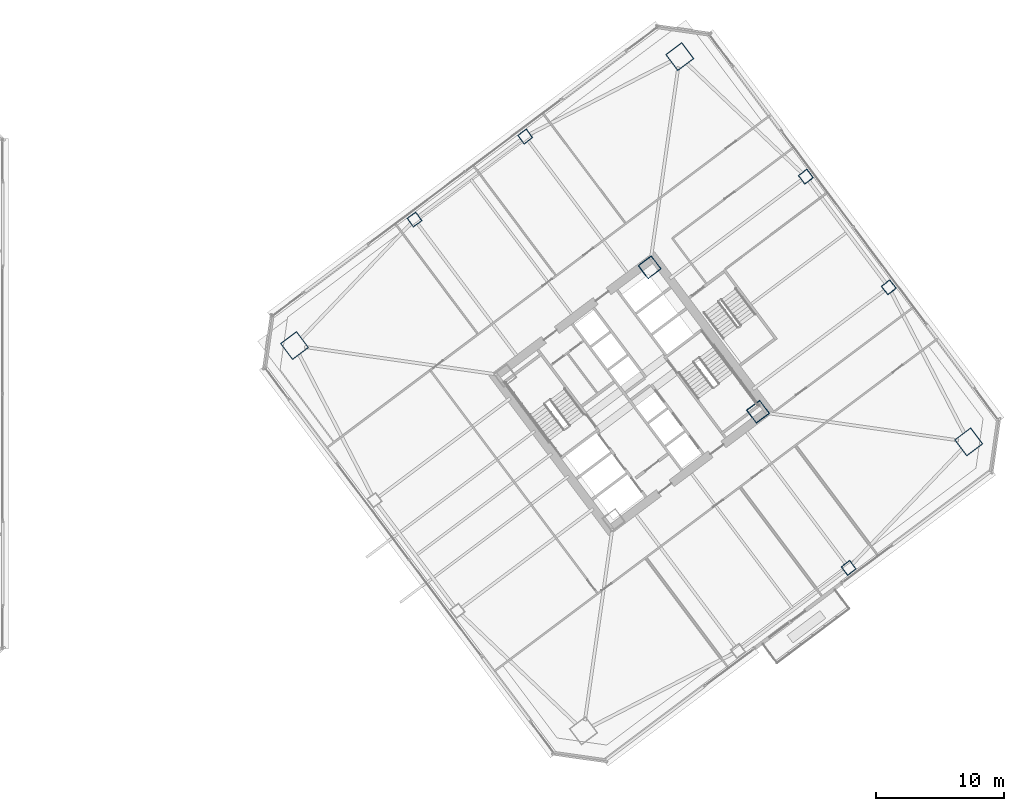
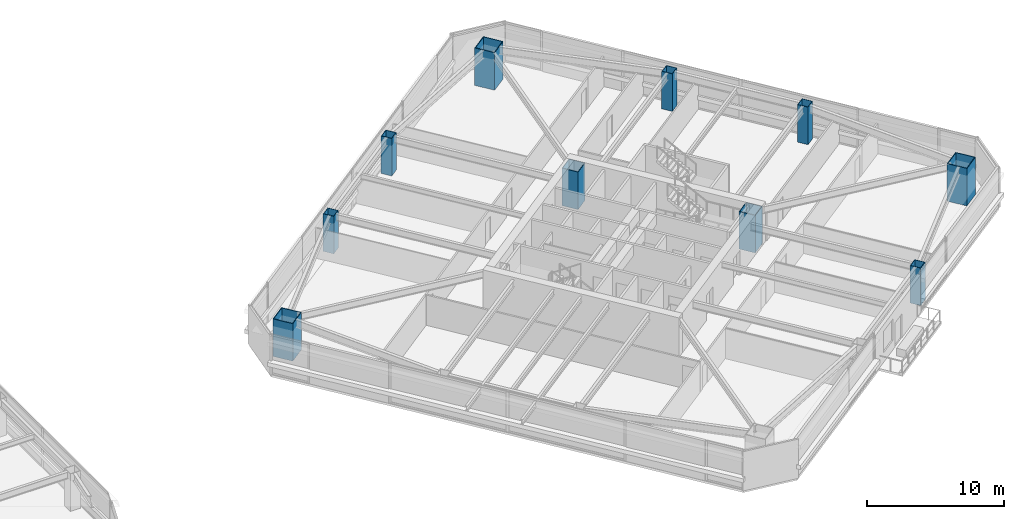
# One storey, part 2 of 48: 10 columns.
"""IFC4 building model written with IfcOpenShell, lengths in metres."""

from ifc_helpers import new_model, si_unit, direction, frame, origin, origin_2d, place, context, subcontext, project, spatial, hollow_rectangle, extrude, material, material_profile, profile_set, type_object, element, save


model = new_model("IFC4")

# Units and contexts
model_context = context("Model", 3, precision=1e-05, world=origin(), true_north=direction((0.0, 1.0)))
body_context = subcontext(model_context, "Body", "Model", "MODEL_VIEW")
ifc_project = project(units=[si_unit("LENGTHUNIT", "METRE"), si_unit("AREAUNIT", "SQUARE_METRE"), si_unit("VOLUMEUNIT", "CUBIC_METRE"), si_unit("PLANEANGLEUNIT", "RADIAN"), si_unit("MASSUNIT", "GRAM", prefix="KILO")], contexts=[model_context])

# Site, building, storey
site_placement = place(None, origin())
site = spatial("IfcSite", under=ifc_project, at=site_placement, CompositionType="ELEMENT")
building_placement = place(site_placement, origin())
building = spatial("IfcBuilding", under=site, at=building_placement, Name="Tashvorn Skyway Center", CompositionType="ELEMENT")
storey_placement = place(building_placement, frame((0.0, 0.0, 53.0)))
storey = spatial("IfcBuildingStorey", under=building, at=storey_placement, Name="L13", CompositionType="ELEMENT", Elevation=53.0)

# Columns
ifc_material = material(Name="Steel ASTM A572 Grade 50", Category="steel")
ifc_material_profile_1 = material_profile(ifc_material, hollow_rectangle(XDim=1.300048828125, YDim=1.300048828125, WallThickness=0.050048828125, at=origin_2d()), Name="BOX1300x1300x50")
ifc_profile_set_1 = profile_set([ifc_material_profile_1], Name="Steel ASTM A572 Grade 50")
column_type_1 = type_object("IfcColumnType", Name="COL-BOX1300x1300x50", PredefinedType="COLUMN", material=ifc_profile_set_1)
for number, where, z_axis, x_axis, name in (
    (1, (123.8701171875, 30.590087890625, 0.0), (0.0, 0.0, 1.0), (0.799999996291, 0.600000004945, 0.0), "Tower 2 L13 Core Corner Column CC-SE"),
    (2, (115.409912109375, 41.8701171875, 0.0), (0.0, 0.0, 1.0), (0.799999996291, 0.600000004945, 0.0), "Tower 2 L13 Core Corner Column CC-NE"),
):
    element("IfcColumn", number, at=place(storey_placement, frame(where, z_axis=z_axis, x_axis=x_axis)), inside=storey, type_object=column_type_1, Name=name, PredefinedType="COLUMN", context=body_context, shape_type="SweptSolid", body=[
        extrude(hollow_rectangle(XDim=1.300048828125, YDim=1.300048828125, WallThickness=0.050048828125, at=origin_2d()), origin(), (0.0, 0.0, 1.0), 3.35009765625),
    ])
ifc_material_profile_2 = material_profile(ifc_material, hollow_rectangle(XDim=1.60009765625, YDim=1.60009765625, WallThickness=0.06005859375, at=origin_2d()), Name="BOX1600x1600x60")
ifc_profile_set_2 = profile_set([ifc_material_profile_2], Name="Steel ASTM A572 Grade 50")
column_type_2 = type_object("IfcColumnType", Name="COL-BOX1600x1600x60", PredefinedType="COLUMN", material=ifc_profile_set_2)
for number, where, z_axis, x_axis, name in (
    (3, (140.320068359375, 28.239990234375, 0.0), (0.0, 0.0, 1.0), (0.799999996291, 0.600000004945, 0.0), "Tower 2 L13 Mega-Column MC-SE"),
    (4, (117.760009765625, 58.320068359375, 0.0), (0.0, 0.0, 1.0), (0.799999996291, 0.600000004945, 0.0), "Tower 2 L13 Mega-Column MC-NE"),
    (5, (87.679931640625, 35.760009765625, 0.0), (0.0, 0.0, 1.0), (0.799999996291, 0.600000004945, 0.0), "Tower 2 L13 Mega-Column MC-NW"),
):
    element("IfcColumn", number, at=place(storey_placement, frame(where, z_axis=z_axis, x_axis=x_axis)), inside=storey, type_object=column_type_2, Name=name, PredefinedType="COLUMN", context=body_context, shape_type="SweptSolid", body=[
        extrude(hollow_rectangle(XDim=1.60009765625, YDim=1.60009765625, WallThickness=0.06005859375, at=origin_2d()), origin(), (0.0, 0.0, 1.0), 3.35009765625),
    ])
ifc_material_profile_3 = material_profile(ifc_material, hollow_rectangle(XDim=0.85009765625, YDim=0.85009765625, WallThickness=0.034912109375, at=origin_2d()), Name="BOX850x850x35")
ifc_profile_set_3 = profile_set([ifc_material_profile_3], Name="Steel ASTM A572 Grade 50")
column_type_3 = type_object("IfcColumnType", Name="COL-BOX850x850x35", PredefinedType="COLUMN", material=ifc_profile_set_3)
for number, where, z_axis, x_axis, name in (
    (6, (130.949951171875, 18.39990234375, 0.0), (0.0, 0.0, 1.0), (0.799999996291, 0.600000004945, 0.0), "Tower 2 L13 Perimeter Column FC-S2"),
    (7, (134.080078125, 40.31005859375, 0.0), (0.0, 0.0, 1.0), (0.799999996291, 0.600000004945, 0.0), "Tower 2 L13 Perimeter Column FC-E1"),
    (8, (127.60009765625, 48.949951171875, 0.0), (0.0, 0.0, 1.0), (0.799999996291, 0.600000004945, 0.0), "Tower 2 L13 Perimeter Column FC-E2"),
    (9, (105.68994140625, 52.080078125, 0.0), (0.0, 0.0, 1.0), (0.799999996291, 0.600000004945, 0.0), "Tower 2 L13 Perimeter Column FC-N1"),
    (10, (97.050048828125, 45.60009765625, 0.0), (0.0, 0.0, 1.0), (0.799999996291, 0.600000004945, 0.0), "Tower 2 L13 Perimeter Column FC-N2"),
):
    element("IfcColumn", number, at=place(storey_placement, frame(where, z_axis=z_axis, x_axis=x_axis)), inside=storey, type_object=column_type_3, Name=name, PredefinedType="COLUMN", context=body_context, shape_type="SweptSolid", body=[
        extrude(hollow_rectangle(XDim=0.85009765625, YDim=0.85009765625, WallThickness=0.034912109375, at=origin_2d()), origin(), (0.0, 0.0, 1.0), 3.35009765625),
    ])

save(model, "model.ifc")
